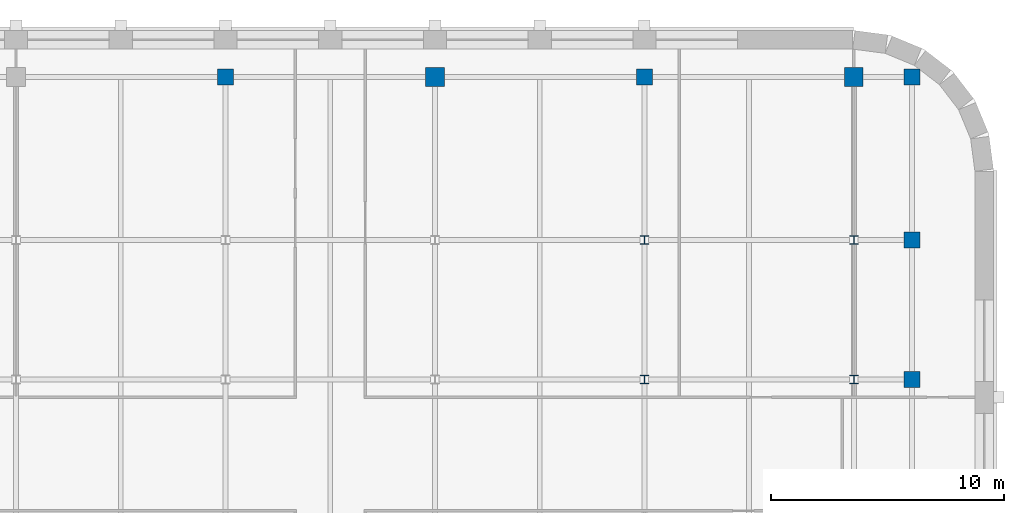
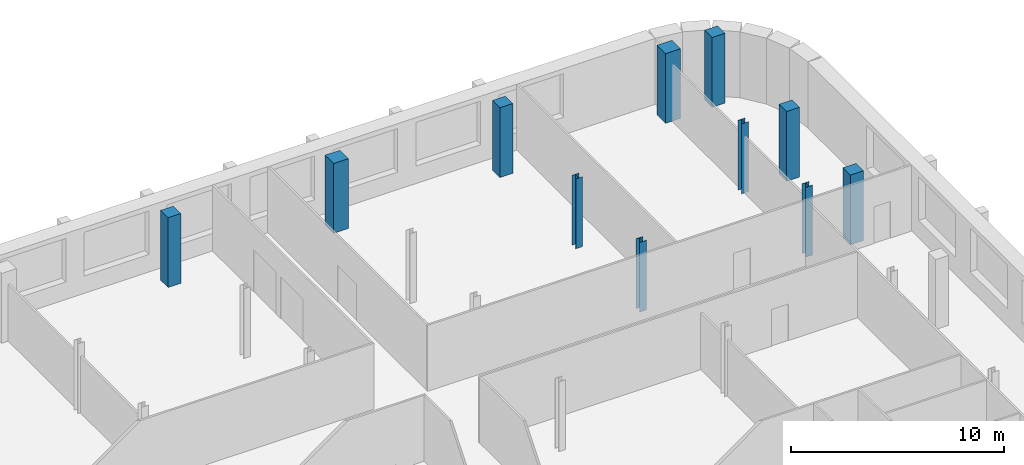
# One storey, part 4 of 14: 11 columns.
"""IFC4 building model written with IfcOpenShell, lengths in metres."""

from ifc_helpers import new_model, si_unit, direction, frame, origin, origin_2d, place, context, subcontext, project, spatial, rectangle, i_section, extrude, material, material_profile, profile_set, type_object, element, save


model = new_model("IFC4")

# Units and contexts
model_context = context("Model", 3, precision=1e-05, world=origin(), true_north=direction((0.0, 1.0)))
body_context = subcontext(model_context, "Body", "Model", "MODEL_VIEW")
ifc_project = project(units=[si_unit("LENGTHUNIT", "METRE"), si_unit("AREAUNIT", "SQUARE_METRE"), si_unit("VOLUMEUNIT", "CUBIC_METRE"), si_unit("PLANEANGLEUNIT", "RADIAN"), si_unit("MASSUNIT", "GRAM", prefix="KILO")], contexts=[model_context])

# Site, building, storey
site_placement = place(None, origin())
site = spatial("IfcSite", under=ifc_project, at=site_placement, CompositionType="ELEMENT")
building_placement = place(site_placement, origin())
building = spatial("IfcBuilding", under=site, at=building_placement, Name="Zellij Exchange Tower", CompositionType="ELEMENT")
storey_placement = place(building_placement, frame((0.0, 0.0, 288.5)))
storey = spatial("IfcBuildingStorey", under=building, at=storey_placement, Name="L68", CompositionType="ELEMENT", Elevation=288.5)

# Columns
ifc_material_1 = material(Name="Concrete C50/60", Category="concrete")
ifc_material_profile_1 = material_profile(ifc_material_1, rectangle(XDim=0.699951171875, YDim=0.699951171875, at=origin_2d()), Name="STR-COLUMN RC700x700 C50/60")
ifc_profile_set_1 = profile_set([ifc_material_profile_1], Name="Concrete C50/60")
column_type_1 = type_object("IfcColumnType", Name="STR-COLUMN RC700x700 C50/60", PredefinedType="COLUMN", material=ifc_profile_set_1)
for number, where, z_axis, x_axis, name in (
    (1, (29.5, 22.0, 0.0), (0.0, 0.0, 1.0), (1.0, 0.0, 0.0), "C14"),
    (2, (29.5, 28.0, 0.0), (0.0, 0.0, 1.0), (1.0, 0.0, 0.0), "C14"),
    (3, (0.0, 35.0, 0.0), (0.0, 0.0, 1.0), (1.0, 0.0, 0.0), "C14"),
    (4, (18.0, 35.0, 0.0), (0.0, 0.0, 1.0), (1.0, 0.0, 0.0), "C14"),
    (5, (29.5, 35.0, 0.0), (0.0, 0.0, 1.0), (1.0, 0.0, 0.0), "C14"),
):
    element("IfcColumn", number, at=place(storey_placement, frame(where, z_axis=z_axis, x_axis=x_axis)), inside=storey, type_object=column_type_1, Name=name, PredefinedType="COLUMN", context=body_context, shape_type="SweptSolid", body=[
        extrude(rectangle(XDim=0.699951171875, YDim=0.699951171875, at=origin_2d()), origin(), (0.0, 0.0, 1.0), 4.0),
    ])
ifc_material_2 = material(Name="Structural steel ASTM A992 Gr 50", Category="steel")
ifc_material_profile_2 = material_profile(ifc_material_2, i_section(OverallWidth=0.368408203125, OverallDepth=0.355712890625, WebThickness=0.01123046875, FlangeThickness=0.01806640625, at=origin_2d()), Name="W14x90")
ifc_profile_set_2 = profile_set([ifc_material_profile_2], Name="Structural steel ASTM A992 Gr 50")
column_type_2 = type_object("IfcColumnType", Name="STR-COLUMN W14x90", PredefinedType="COLUMN", material=ifc_profile_set_2)
for number, where, z_axis, x_axis, name in (
    (6, (18.0, 22.0, 0.0), (0.0, 0.0, 1.0), (1.0, 0.0, 0.0), "C8"),
    (7, (27.0, 22.0, 0.0), (0.0, 0.0, 1.0), (1.0, 0.0, 0.0), "C8"),
    (8, (18.0, 28.0, 0.0), (0.0, 0.0, 1.0), (1.0, 0.0, 0.0), "C8"),
    (9, (27.0, 28.0, 0.0), (0.0, 0.0, 1.0), (1.0, 0.0, 0.0), "C8"),
):
    element("IfcColumn", number, at=place(storey_placement, frame(where, z_axis=z_axis, x_axis=x_axis)), inside=storey, type_object=column_type_2, Name=name, PredefinedType="COLUMN", context=body_context, shape_type="SweptSolid", body=[
        extrude(i_section(OverallWidth=0.368408203125, OverallDepth=0.355712890625, WebThickness=0.01123046875, FlangeThickness=0.01806640625, at=origin_2d()), origin(), (0.0, 0.0, 1.0), 4.0),
    ])
ifc_material_profile_3 = material_profile(ifc_material_1, rectangle(XDim=0.800048828125, YDim=0.800048828125, at=origin_2d()), Name="STR-MEGA COLUMN RC800x800 C50/60")
ifc_profile_set_3 = profile_set([ifc_material_profile_3], Name="Concrete C50/60")
column_type_3 = type_object("IfcColumnType", Name="STR-MEGA COLUMN RC800x800 C50/60", PredefinedType="COLUMN", material=ifc_profile_set_3)
for number, where, z_axis, x_axis, name in (
    (10, (9.0, 35.0, 0.0), (0.0, 0.0, 1.0), (1.0, 0.0, 0.0), "MC10"),
    (11, (27.0, 35.0, 0.0), (0.0, 0.0, 1.0), (1.0, 0.0, 0.0), "MC10"),
):
    element("IfcColumn", number, at=place(storey_placement, frame(where, z_axis=z_axis, x_axis=x_axis)), inside=storey, type_object=column_type_3, Name=name, PredefinedType="COLUMN", context=body_context, shape_type="SweptSolid", body=[
        extrude(rectangle(XDim=0.800048828125, YDim=0.800048828125, at=origin_2d()), origin(), (0.0, 0.0, 1.0), 4.0),
    ])

save(model, "model.ifc")
